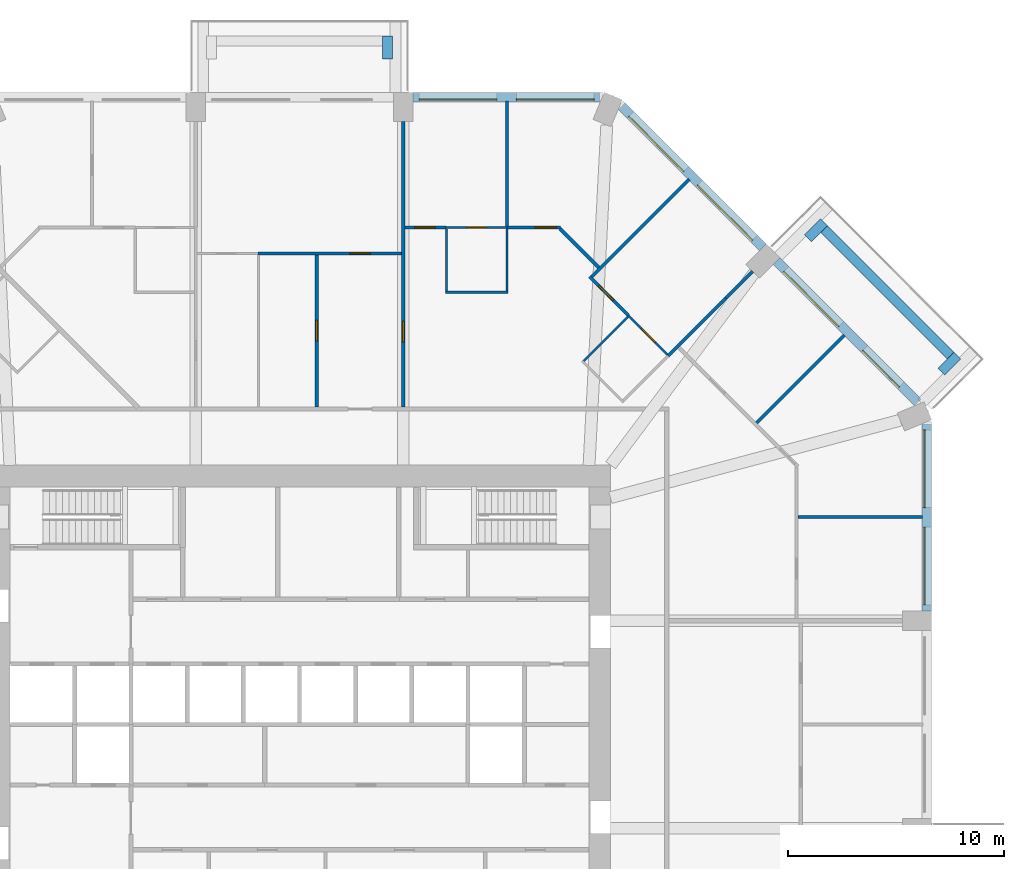
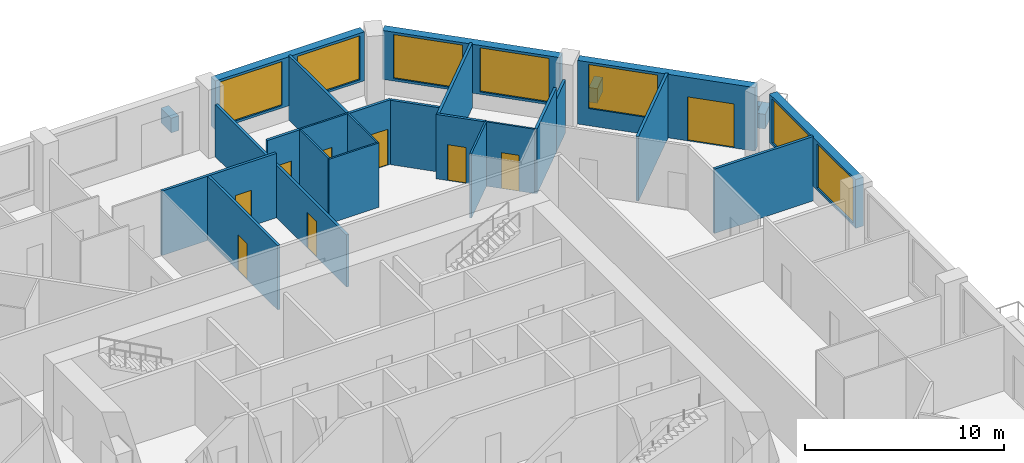
# One storey, part 10 of 13: 27 walls, 9 doors, 7 windows, 16 openings.
"""IFC4 building model written with IfcOpenShell, lengths in metres."""

from ifc_helpers import new_model, si_unit, direction, frame, frame_2d, origin, place, context, subcontext, project, spatial, rectangle, extrude, material, layer, layer_set, type_object, element, fill, save


model = new_model("IFC4")

# Units and contexts
model_context = context("Model", 3, precision=1e-05, world=origin(), true_north=direction((0.0, 1.0)))
body_context = subcontext(model_context, "Body", "Model", "MODEL_VIEW")
ifc_project = project(units=[si_unit("LENGTHUNIT", "METRE"), si_unit("AREAUNIT", "SQUARE_METRE"), si_unit("VOLUMEUNIT", "CUBIC_METRE"), si_unit("PLANEANGLEUNIT", "RADIAN"), si_unit("MASSUNIT", "GRAM", prefix="KILO")], contexts=[model_context])

# Site, building, storey
site_placement = place(None, origin())
site = spatial("IfcSite", under=ifc_project, at=site_placement, CompositionType="ELEMENT")
building_placement = place(site_placement, origin())
building = spatial("IfcBuilding", under=site, at=building_placement, Name="Msitu Wima Residences", CompositionType="ELEMENT")
storey_placement = place(building_placement, frame((0.0, 0.0, 84.300048828125)))
storey = spatial("IfcBuildingStorey", under=building, at=storey_placement, Name="L19", CompositionType="ELEMENT", Elevation=84.300048828125)

# Walls
ifc_material_1 = material(Name="Facing brick")
ifc_layer_1 = layer(ifc_material_1, 0.06494140625, Name="Facing brick")
ifc_material_2 = material(Name="Concrete C40/50", Category="concrete")
ifc_layer_2 = layer(ifc_material_2, 0.156005859375, Name="Concrete C40/50")
ifc_material_3 = material(Name="Waterproofing membrane")
ifc_layer_3 = layer(ifc_material_3, 0.00390625, Name="Waterproofing membrane")
ifc_material_4 = material(Name="Planting soil and planting")
ifc_layer_4 = layer(ifc_material_4, 0.22509765625, Name="Planting soil and planting")
ifc_layer_set_1 = layer_set([ifc_layer_1, ifc_layer_2, ifc_layer_3, ifc_layer_4], Name="Concrete C40/50")
wall_type_1 = type_object("IfcWallType", Name="Balcony planter PLANTER PL450", PredefinedType="USERDEFINED", material=ifc_layer_set_1)
wall_1_placement = place(storey_placement, frame((30.125732421875, 17.0693359375, 0.0), z_axis=(0.0, 0.0, 1.0), x_axis=(-0.707106781187, 0.707106781187, 0.0)))
element("IfcWall", 1, at=wall_1_placement, inside=storey, type_object=wall_type_1, Name="Balcony planter NE0 L19", ObjectType="PLANTER", PredefinedType="USERDEFINED", context=body_context, shape_type="SweptSolid", body=[
    extrude(rectangle(XDim=8.2822265625, YDim=0.449951171875, at=frame_2d((4.14111328125, 0.0))), origin(), (0.0, 0.0, 1.0), 0.89990234375),
])
for number, where, z_axis, x_axis, name in (
    (2, (29.70166015625, 16.326904296875, 0.0), (0.0, 0.0, 1.0), (0.707106781187, 0.707106781187, 0.0), "Balcony planter NE0 L19"),
    (3, (23.52685546875, 22.50146484375, 0.0), (0.0, 0.0, 1.0), (0.706990528533, 0.707223014731, 0.0), "Balcony planter NE0 L19"),
    (4, (4.074951171875, 30.800048828125, 0.0), (0.0, 0.0, 1.0), (0.0, 1.0, 0.0), "Balcony planter N1 L19"),
):
    element("IfcWall", number, at=place(storey_placement, frame(where, z_axis=z_axis, x_axis=x_axis)), inside=storey, type_object=wall_type_1, Name=name, ObjectType="PLANTER", PredefinedType="USERDEFINED", context=body_context, shape_type="SweptSolid", body=[
        extrude(rectangle(XDim=1.050048828125, YDim=0.449951171875, at=frame_2d((0.52490234375, 0.0))), origin(), (0.0, 0.0, 1.0), 0.89990234375),
    ])

# Wall, openings, windows
ifc_material_5 = material(Name="Brick (red buff mix)", Category="masonry")
ifc_layer_5 = layer(ifc_material_5, 0.449951171875)
ifc_layer_set_2 = layer_set([ifc_layer_5], Name="Brick (red buff mix)")
wall_type_2 = type_object("IfcWallType", Name="Brick infill wall BW450", PredefinedType="SOLIDWALL", material=ifc_layer_set_2)
wall_2_placement = place(storey_placement, frame((29.02490234375, 5.25, 0.89990234375), z_axis=(0.0, 0.0, 1.0), x_axis=(0.0, 1.0, 0.0)))
wall_2 = element("IfcWall", 5, at=wall_2_placement, inside=storey, type_object=wall_type_2, Name="Brick infill wall L19 E2", PredefinedType="SOLIDWALL", context=body_context, shape_type="SweptSolid", body=[
    extrude(rectangle(XDim=8.662841796875, YDim=0.449951171875, at=frame_2d((4.33154296875, 0.0))), origin(), (0.0, 0.0, 1.0), 3.0),
])
opening_1_placement = place(wall_2_placement, frame((0.281494140625, 0.0, 0.14990234375)))
opening_1 = element("IfcOpeningElement", 6, at=opening_1_placement, cuts=wall_2, Name="Opening W18-20.004", PredefinedType="OPENING", context=body_context, shape_type="SweptSolid", body=[
    extrude(rectangle(XDim=3.60009765625, YDim=2.699951171875, at=frame_2d((1.800048828125, 1.35009765625))), frame((0.0, 0.23486328125, 0.0), z_axis=(0.0, -1.0, 0.0), x_axis=(1.0, 0.0, 0.0)), (0.0, 0.0, 1.0), 0.469970703125),
])
opening_2_placement = place(wall_2_placement, frame((4.781494140625, 0.0, 0.14990234375)))
opening_2 = element("IfcOpeningElement", 7, at=opening_2_placement, cuts=wall_2, Name="Opening W18-20.005", PredefinedType="OPENING", context=body_context, shape_type="SweptSolid", body=[
    extrude(rectangle(XDim=3.60009765625, YDim=2.699951171875, at=frame_2d((1.800048828125, 1.35009765625))), frame((0.0, 0.23486328125, 0.0), z_axis=(0.0, -1.0, 0.0), x_axis=(1.0, 0.0, 0.0)), (0.0, 0.0, 1.0), 0.469970703125),
])
ifc_material_6 = material(Name="Anodised aluminium, bronze finish, clear low-emissivity double glazing", Category="aluminium")
window_type = type_object("IfcWindowType", Name="Window W3600x2700", PartitioningType="DOUBLE_PANEL_VERTICAL", PredefinedType="WINDOW", material=ifc_material_6)
window_1_placement = place(opening_1_placement, origin())
window_1 = element("IfcWindow", 8, at=window_1_placement, inside=storey, type_object=window_type, Name="Window L19 E2.1", OverallHeight=2.699951171875, OverallWidth=3.60009765625, PartitioningType="SINGLE_PANEL", PredefinedType="WINDOW", context=body_context, shape_type="SweptSolid", body=[
    extrude(rectangle(XDim=3.60009765625, YDim=2.699951171875, at=frame_2d((1.800048828125, 1.35009765625))), frame((0.0, 0.135009765625, 0.0), z_axis=(0.0, -1.0, 0.0), x_axis=(1.0, 0.0, 0.0)), (0.0, 0.0, 1.0), 0.06005859375),
])
fill(opening_1, window_1)
window_2_placement = place(opening_2_placement, origin())
window_2 = element("IfcWindow", 9, at=window_2_placement, inside=storey, type_object=window_type, Name="Window L19 E2.2", OverallHeight=2.699951171875, OverallWidth=3.60009765625, PartitioningType="SINGLE_PANEL", PredefinedType="WINDOW", context=body_context, shape_type="SweptSolid", body=[
    extrude(rectangle(XDim=3.60009765625, YDim=2.699951171875, at=frame_2d((1.800048828125, 1.35009765625))), frame((0.0, 0.135009765625, 0.0), z_axis=(0.0, -1.0, 0.0), x_axis=(1.0, 0.0, 0.0)), (0.0, 0.0, 1.0), 0.06005859375),
])
fill(opening_2, window_2)

# Wall, openings, door, window
wall_3_placement = place(storey_placement, frame((28.61474609375, 14.903564453125, 0.0), z_axis=(0.0, 0.0, 1.0), x_axis=(-0.707106781187, 0.707106781187, 0.0)))
wall_3 = element("IfcWall", 10, at=wall_3_placement, inside=storey, type_object=wall_type_2, Name="Brick infill wall L19 NE0", PredefinedType="SOLIDWALL", context=body_context, shape_type="SweptSolid", body=[
    extrude(rectangle(XDim=9.2451171875, YDim=0.449951171875, at=frame_2d((4.62255859375, 0.0))), origin(), (0.0, 0.0, 1.0), 3.89990234375),
])
opening_3_placement = place(wall_3_placement, frame((1.111328125, 0.0, 0.0)))
opening_3 = element("IfcOpeningElement", 11, at=opening_3_placement, cuts=wall_3, Name="Opening D18-20.003", PredefinedType="OPENING", context=body_context, shape_type="SweptSolid", body=[
    extrude(rectangle(XDim=2.39990234375, YDim=2.699951171875, at=frame_2d((1.199951171875, 1.35009765625))), frame((0.0, 0.23486328125, 0.0), z_axis=(0.0, -1.0, 0.0), x_axis=(1.0, 0.0, 0.0)), (0.0, 0.0, 1.0), 0.469970703125),
])
opening_4_placement = place(wall_3_placement, frame((5.072509765625, 0.0, 1.050048828125)))
opening_4 = element("IfcOpeningElement", 12, at=opening_4_placement, cuts=wall_3, Name="Opening W18-20.011", PredefinedType="OPENING", context=body_context, shape_type="SweptSolid", body=[
    extrude(rectangle(XDim=3.60009765625, YDim=2.699951171875, at=frame_2d((1.800048828125, 1.35009765625))), frame((0.0, 0.23486328125, 0.0), z_axis=(0.0, -1.0, 0.0), x_axis=(1.0, 0.0, 0.0)), (0.0, 0.0, 1.0), 0.469970703125),
])
door_type_1 = type_object("IfcDoorType", Name="Balcony door D2400x2700", OperationType="SLIDING_TO_LEFT", PredefinedType="DOOR", material=ifc_material_6)
door_1_placement = place(opening_3_placement, origin())
door_1 = element("IfcDoor", 13, at=door_1_placement, inside=storey, type_object=door_type_1, Name="Balcony door L19 NE0", OperationType="SINGLE_SWING_LEFT", OverallHeight=2.699951171875, OverallWidth=2.39990234375, PredefinedType="DOOR", context=body_context, shape_type="SweptSolid", body=[
    extrude(rectangle(XDim=2.39990234375, YDim=2.699951171875, at=frame_2d((1.199951171875, 1.35009765625))), frame((0.0, 0.1298828125, 0.0), z_axis=(0.0, -1.0, 0.0), x_axis=(1.0, 0.0, 0.0)), (0.0, 0.0, 1.0), 0.050048828125),
])
fill(opening_3, door_1)
window_3_placement = place(opening_4_placement, origin())
window_3 = element("IfcWindow", 14, at=window_3_placement, inside=storey, type_object=window_type, Name="Window L19 NE0.2", OverallHeight=2.699951171875, OverallWidth=3.60009765625, PartitioningType="SINGLE_PANEL", PredefinedType="WINDOW", context=body_context, shape_type="SweptSolid", body=[
    extrude(rectangle(XDim=3.60009765625, YDim=2.699951171875, at=frame_2d((1.800048828125, 1.35009765625))), frame((0.0, 0.135009765625, 0.0), z_axis=(0.0, -1.0, 0.0), x_axis=(1.0, 0.0, 0.0)), (0.0, 0.0, 1.0), 0.06005859375),
])
fill(opening_4, window_3)

# Wall, openings, windows
wall_4_placement = place(storey_placement, frame((21.44091796875, 22.077392578125, 0.89990234375), z_axis=(0.0, 0.0, 1.0), x_axis=(-0.707106781187, 0.707106781187, 0.0)))
wall_4 = element("IfcWall", 15, at=wall_4_placement, inside=storey, type_object=wall_type_2, Name="Brick infill wall L19 NE1", PredefinedType="SOLIDWALL", context=body_context, shape_type="SweptSolid", body=[
    extrude(rectangle(XDim=9.2451171875, YDim=0.449951171875, at=frame_2d((4.62255859375, 0.0))), origin(), (0.0, 0.0, 1.0), 3.0),
])
opening_5_placement = place(wall_4_placement, frame((0.572509765625, 0.0, 0.14990234375)))
opening_5 = element("IfcOpeningElement", 16, at=opening_5_placement, cuts=wall_4, Name="Opening W18-20.012", PredefinedType="OPENING", context=body_context, shape_type="SweptSolid", body=[
    extrude(rectangle(XDim=3.60009765625, YDim=2.699951171875, at=frame_2d((1.800048828125, 1.35009765625))), frame((0.0, 0.23486328125, 0.0), z_axis=(0.0, -1.0, 0.0), x_axis=(1.0, 0.0, 0.0)), (0.0, 0.0, 1.0), 0.469970703125),
])
opening_6_placement = place(wall_4_placement, frame((5.072509765625, 0.0, 0.14990234375)))
opening_6 = element("IfcOpeningElement", 17, at=opening_6_placement, cuts=wall_4, Name="Opening W18-20.013", PredefinedType="OPENING", context=body_context, shape_type="SweptSolid", body=[
    extrude(rectangle(XDim=3.60009765625, YDim=2.699951171875, at=frame_2d((1.800048828125, 1.35009765625))), frame((0.0, 0.23486328125, 0.0), z_axis=(0.0, -1.0, 0.0), x_axis=(1.0, 0.0, 0.0)), (0.0, 0.0, 1.0), 0.469970703125),
])
window_4_placement = place(opening_5_placement, origin())
window_4 = element("IfcWindow", 18, at=window_4_placement, inside=storey, type_object=window_type, Name="Window L19 NE1.1", OverallHeight=2.699951171875, OverallWidth=3.60009765625, PartitioningType="SINGLE_PANEL", PredefinedType="WINDOW", context=body_context, shape_type="SweptSolid", body=[
    extrude(rectangle(XDim=3.60009765625, YDim=2.699951171875, at=frame_2d((1.800048828125, 1.35009765625))), frame((0.0, 0.135009765625, 0.0), z_axis=(0.0, -1.0, 0.0), x_axis=(1.0, 0.0, 0.0)), (0.0, 0.0, 1.0), 0.06005859375),
])
fill(opening_5, window_4)
window_5_placement = place(opening_6_placement, origin())
window_5 = element("IfcWindow", 19, at=window_5_placement, inside=storey, type_object=window_type, Name="Window L19 NE1.2", OverallHeight=2.699951171875, OverallWidth=3.60009765625, PartitioningType="SINGLE_PANEL", PredefinedType="WINDOW", context=body_context, shape_type="SweptSolid", body=[
    extrude(rectangle(XDim=3.60009765625, YDim=2.699951171875, at=frame_2d((1.800048828125, 1.35009765625))), frame((0.0, 0.135009765625, 0.0), z_axis=(0.0, -1.0, 0.0), x_axis=(1.0, 0.0, 0.0)), (0.0, 0.0, 1.0), 0.06005859375),
])
fill(opening_6, window_5)

wall_5_placement = place(storey_placement, frame((13.912841796875, 29.02490234375, 0.89990234375), z_axis=(0.0, 0.0, 1.0), x_axis=(-1.0, 0.0, 0.0)))
wall_5 = element("IfcWall", 20, at=wall_5_placement, inside=storey, type_object=wall_type_2, Name="Brick infill wall L19 N0", PredefinedType="SOLIDWALL", context=body_context, shape_type="SweptSolid", body=[
    extrude(rectangle(XDim=8.662841796875, YDim=0.449951171875, at=frame_2d((4.33154296875, 0.0))), origin(), (0.0, 0.0, 1.0), 3.0),
])
opening_7_placement = place(wall_5_placement, frame((0.281494140625, 0.0, 0.14990234375)))
opening_7 = element("IfcOpeningElement", 21, at=opening_7_placement, cuts=wall_5, Name="Opening W18-20.006", PredefinedType="OPENING", context=body_context, shape_type="SweptSolid", body=[
    extrude(rectangle(XDim=3.60009765625, YDim=2.699951171875, at=frame_2d((1.800048828125, 1.35009765625))), frame((0.0, 0.23486328125, 0.0), z_axis=(0.0, -1.0, 0.0), x_axis=(1.0, 0.0, 0.0)), (0.0, 0.0, 1.0), 0.469970703125),
])
opening_8_placement = place(wall_5_placement, frame((4.781494140625, 0.0, 0.14990234375)))
opening_8 = element("IfcOpeningElement", 22, at=opening_8_placement, cuts=wall_5, Name="Opening W18-20.007", PredefinedType="OPENING", context=body_context, shape_type="SweptSolid", body=[
    extrude(rectangle(XDim=3.60009765625, YDim=2.699951171875, at=frame_2d((1.800048828125, 1.35009765625))), frame((0.0, 0.23486328125, 0.0), z_axis=(0.0, -1.0, 0.0), x_axis=(1.0, 0.0, 0.0)), (0.0, 0.0, 1.0), 0.469970703125),
])
window_6_placement = place(opening_7_placement, origin())
window_6 = element("IfcWindow", 23, at=window_6_placement, inside=storey, type_object=window_type, Name="Window L19 N0.1", OverallHeight=2.699951171875, OverallWidth=3.60009765625, PartitioningType="SINGLE_PANEL", PredefinedType="WINDOW", context=body_context, shape_type="SweptSolid", body=[
    extrude(rectangle(XDim=3.60009765625, YDim=2.699951171875, at=frame_2d((1.800048828125, 1.35009765625))), frame((0.0, 0.135009765625, 0.0), z_axis=(0.0, -1.0, 0.0), x_axis=(1.0, 0.0, 0.0)), (0.0, 0.0, 1.0), 0.06005859375),
])
fill(opening_7, window_6)
window_7_placement = place(opening_8_placement, origin())
window_7 = element("IfcWindow", 24, at=window_7_placement, inside=storey, type_object=window_type, Name="Window L19 N0.2", OverallHeight=2.699951171875, OverallWidth=3.60009765625, PartitioningType="SINGLE_PANEL", PredefinedType="WINDOW", context=body_context, shape_type="SweptSolid", body=[
    extrude(rectangle(XDim=3.60009765625, YDim=2.699951171875, at=frame_2d((1.800048828125, 1.35009765625))), frame((0.0, 0.135009765625, 0.0), z_axis=(0.0, -1.0, 0.0), x_axis=(1.0, 0.0, 0.0)), (0.0, 0.0, 1.0), 0.06005859375),
])
fill(opening_8, window_7)

# Wall, opening, door
ifc_material_7 = material(Name="Plaster")
ifc_layer_6 = layer(ifc_material_7, 0.011962890625, Name="Plaster")
ifc_material_8 = material(Name="Concrete blockwork", Category="masonry")
ifc_layer_7 = layer(ifc_material_8, 0.1259765625, Name="Concrete blockwork")
ifc_layer_8 = layer(ifc_material_7, 0.011962890625, Name="Plaster")
ifc_layer_set_3 = layer_set([ifc_layer_6, ifc_layer_7, ifc_layer_8], Name="Concrete blockwork")
wall_type_3 = type_object("IfcWallType", Name="Partition PW150", PredefinedType="PARTITIONING", material=ifc_layer_set_3)
wall_6_placement = place(storey_placement, frame((-1.919921875, 21.800048828125, 0.0), z_axis=(0.0, 0.0, 1.0), x_axis=(1.0, 0.0, 0.0)))
wall_6 = element("IfcWall", 25, at=wall_6_placement, inside=storey, type_object=wall_type_3, Name="Partition", PredefinedType="PARTITIONING", context=body_context, shape_type="SweptSolid", body=[
    extrude(rectangle(XDim=6.64501953125, YDim=0.14990234375, at=frame_2d((3.322509765625, 0.0))), origin(), (0.0, 0.0, 1.0), 3.949951171875),
])
opening_9_placement = place(wall_6_placement, frame((4.25, 0.0, 0.0)))
opening_9 = element("IfcOpeningElement", 26, at=opening_9_placement, cuts=wall_6, Name="Opening D18-20.048", PredefinedType="OPENING", context=body_context, shape_type="SweptSolid", body=[
    extrude(rectangle(XDim=0.949951171875, YDim=2.199951171875, at=frame_2d((0.47509765625, 1.10009765625))), frame((0.0, 0.0849609375, 0.0), z_axis=(0.0, -1.0, 0.0), x_axis=(1.0, 0.0, 0.0)), (0.0, 0.0, 1.0), 0.169921875),
])
ifc_material_9 = material(Name="Timber flush door", Category="wood")
door_type_2 = type_object("IfcDoorType", Name="Room door D12 950x2200", OperationType="SINGLE_SWING_LEFT", PredefinedType="DOOR", material=ifc_material_9)
door_2_placement = place(opening_9_placement, origin())
door_2 = element("IfcDoor", 27, at=door_2_placement, inside=storey, type_object=door_type_2, Name="Room door", OperationType="SINGLE_SWING_RIGHT", OverallHeight=2.199951171875, OverallWidth=0.949951171875, PredefinedType="DOOR", context=body_context, shape_type="SweptSolid", body=[
    extrude(rectangle(XDim=0.949951171875, YDim=2.199951171875, at=frame_2d((0.47509765625, 1.10009765625))), frame((0.0, 0.02490234375, 0.0), z_axis=(0.0, -1.0, 0.0), x_axis=(1.0, 0.0, 0.0)), (0.0, 0.0, 1.0), 0.050048828125),
])
fill(opening_9, door_2)

wall_7_placement = place(storey_placement, frame((0.800048828125, 14.699951171875, 0.0), z_axis=(0.0, 0.0, 1.0), x_axis=(0.0, 1.0, 0.0)))
wall_7 = element("IfcWall", 28, at=wall_7_placement, inside=storey, type_object=wall_type_3, Name="Partition", PredefinedType="PARTITIONING", context=body_context, shape_type="SweptSolid", body=[
    extrude(rectangle(XDim=7.025146484375, YDim=0.14990234375, at=frame_2d((3.5126953125, 0.0))), origin(), (0.0, 0.0, 1.0), 3.949951171875),
])
opening_10_placement = place(wall_7_placement, frame((3.050048828125, 0.0, 0.0)))
opening_10 = element("IfcOpeningElement", 29, at=opening_10_placement, cuts=wall_7, Name="Opening D18-20.085", PredefinedType="OPENING", context=body_context, shape_type="SweptSolid", body=[
    extrude(rectangle(XDim=0.949951171875, YDim=2.199951171875, at=frame_2d((0.47509765625, 1.10009765625))), frame((0.0, 0.0849609375, 0.0), z_axis=(0.0, -1.0, 0.0), x_axis=(1.0, 0.0, 0.0)), (0.0, 0.0, 1.0), 0.169921875),
])
door_3_placement = place(opening_10_placement, origin())
door_3 = element("IfcDoor", 30, at=door_3_placement, inside=storey, type_object=door_type_2, Name="Room door", OperationType="SINGLE_SWING_RIGHT", OverallHeight=2.199951171875, OverallWidth=0.949951171875, PredefinedType="DOOR", context=body_context, shape_type="SweptSolid", body=[
    extrude(rectangle(XDim=0.949951171875, YDim=2.199951171875, at=frame_2d((0.47509765625, 1.10009765625))), frame((0.0, 0.02490234375, 0.0), z_axis=(0.0, -1.0, 0.0), x_axis=(1.0, 0.0, 0.0)), (0.0, 0.0, 1.0), 0.050048828125),
])
fill(opening_10, door_3)

wall_8_placement = place(storey_placement, frame((4.800048828125, 14.699951171875, 0.0), z_axis=(0.0, 0.0, 1.0), x_axis=(0.0, 1.0, 0.0)))
wall_8 = element("IfcWall", 31, at=wall_8_placement, inside=storey, type_object=wall_type_3, Name="Partition", PredefinedType="PARTITIONING", context=body_context, shape_type="SweptSolid", body=[
    extrude(rectangle(XDim=13.199951171875, YDim=0.14990234375, at=frame_2d((6.60009765625, 0.0))), origin(), (0.0, 0.0, 1.0), 3.199951171875),
])
opening_11_placement = place(wall_8_placement, frame((3.0, 0.0, 0.0)))
opening_11 = element("IfcOpeningElement", 32, at=opening_11_placement, cuts=wall_8, Name="Opening D18-20.037", PredefinedType="OPENING", context=body_context, shape_type="SweptSolid", body=[
    extrude(rectangle(XDim=0.949951171875, YDim=2.199951171875, at=frame_2d((0.47509765625, 1.10009765625))), frame((0.0, 0.0849609375, 0.0), z_axis=(0.0, -1.0, 0.0), x_axis=(1.0, 0.0, 0.0)), (0.0, 0.0, 1.0), 0.169921875),
])
door_4_placement = place(opening_11_placement, origin())
door_4 = element("IfcDoor", 33, at=door_4_placement, inside=storey, type_object=door_type_2, Name="Room door", OperationType="SINGLE_SWING_RIGHT", OverallHeight=2.199951171875, OverallWidth=0.949951171875, PredefinedType="DOOR", context=body_context, shape_type="SweptSolid", body=[
    extrude(rectangle(XDim=0.949951171875, YDim=2.199951171875, at=frame_2d((0.47509765625, 1.10009765625))), frame((0.0, 0.02490234375, 0.0), z_axis=(0.0, -1.0, 0.0), x_axis=(1.0, 0.0, 0.0)), (0.0, 0.0, 1.0), 0.050048828125),
])
fill(opening_11, door_4)

wall_9_placement = place(storey_placement, frame((4.875, 23.0, 0.0), z_axis=(0.0, 0.0, 1.0), x_axis=(1.0, 0.0, 0.0)))
wall_9 = element("IfcWall", 34, at=wall_9_placement, inside=storey, type_object=wall_type_3, Name="Partition", PredefinedType="PARTITIONING", context=body_context, shape_type="SweptSolid", body=[
    extrude(rectangle(XDim=1.905029296875, YDim=0.14990234375, at=frame_2d((0.95263671875, 0.0))), origin(), (0.0, 0.0, 1.0), 3.949951171875),
])
opening_12_placement = place(wall_9_placement, frame((0.449951171875, 0.0, 0.0)))
opening_12 = element("IfcOpeningElement", 35, at=opening_12_placement, cuts=wall_9, Name="Opening D18-20.081", PredefinedType="OPENING", context=body_context, shape_type="SweptSolid", body=[
    extrude(rectangle(XDim=0.949951171875, YDim=2.199951171875, at=frame_2d((0.47509765625, 1.10009765625))), frame((0.0, 0.0849609375, 0.0), z_axis=(0.0, -1.0, 0.0), x_axis=(1.0, 0.0, 0.0)), (0.0, 0.0, 1.0), 0.169921875),
])
door_5_placement = place(opening_12_placement, origin())
door_5 = element("IfcDoor", 36, at=door_5_placement, inside=storey, type_object=door_type_2, Name="Room door", OperationType="SINGLE_SWING_LEFT", OverallHeight=2.199951171875, OverallWidth=0.949951171875, PredefinedType="DOOR", context=body_context, shape_type="SweptSolid", body=[
    extrude(rectangle(XDim=0.949951171875, YDim=2.199951171875, at=frame_2d((0.47509765625, 1.10009765625))), frame((0.0, 0.02490234375, 0.0), z_axis=(0.0, -1.0, 0.0), x_axis=(1.0, 0.0, 0.0)), (0.0, 0.0, 1.0), 0.050048828125),
])
fill(opening_12, door_5)

# Wall
wall_10_placement = place(storey_placement, frame((9.60009765625, 22.97998046875, 0.0), z_axis=(0.0, 0.0, 1.0), x_axis=(0.0, 1.0, 0.0)))
element("IfcWall", 37, at=wall_10_placement, inside=storey, type_object=wall_type_3, Name="Partition", PredefinedType="PARTITIONING", context=body_context, shape_type="SweptSolid", body=[
    extrude(rectangle(XDim=5.875, YDim=0.14990234375, at=frame_2d((2.9375, 0.0))), origin(), (0.0, 0.0, 1.0), 3.949951171875),
])

# Wall, opening, door
wall_11_placement = place(storey_placement, frame((9.6201171875, 23.0, 0.0), z_axis=(0.0, 0.0, 1.0), x_axis=(1.0, 0.0, 0.0)))
wall_11 = element("IfcWall", 38, at=wall_11_placement, inside=storey, type_object=wall_type_3, Name="Partition", PredefinedType="PARTITIONING", context=body_context, shape_type="SweptSolid", body=[
    extrude(rectangle(XDim=2.452392578125, YDim=0.14990234375, at=frame_2d((1.22607421875, 0.0))), origin(), (0.0, 0.0, 1.0), 3.949951171875),
])
opening_13_placement = place(wall_11_placement, frame((1.300048828125, 0.0, 0.0)))
opening_13 = element("IfcOpeningElement", 39, at=opening_13_placement, cuts=wall_11, Name="Opening D18-20.039", PredefinedType="OPENING", context=body_context, shape_type="SweptSolid", body=[
    extrude(rectangle(XDim=0.949951171875, YDim=2.199951171875, at=frame_2d((0.47509765625, 1.10009765625))), frame((0.0, 0.0849609375, 0.0), z_axis=(0.0, -1.0, 0.0), x_axis=(1.0, 0.0, 0.0)), (0.0, 0.0, 1.0), 0.169921875),
])
door_6_placement = place(opening_13_placement, origin())
door_6 = element("IfcDoor", 40, at=door_6_placement, inside=storey, type_object=door_type_2, Name="Room door", OperationType="SINGLE_SWING_LEFT", OverallHeight=2.199951171875, OverallWidth=0.949951171875, PredefinedType="DOOR", context=body_context, shape_type="SweptSolid", body=[
    extrude(rectangle(XDim=0.949951171875, YDim=2.199951171875, at=frame_2d((0.47509765625, 1.10009765625))), frame((0.0, 0.02490234375, 0.0), z_axis=(0.0, -1.0, 0.0), x_axis=(1.0, 0.0, 0.0)), (0.0, 0.0, 1.0), 0.050048828125),
])
fill(opening_13, door_6)

# Wall
wall_12_placement = place(storey_placement, frame((12.050537109375, 22.947021484375, 0.0), z_axis=(0.0, 0.0, 1.0), x_axis=(0.707106781187, -0.707106781187, 0.0)))
element("IfcWall", 41, at=wall_12_placement, inside=storey, type_object=wall_type_3, Name="Partition", PredefinedType="PARTITIONING", context=body_context, shape_type="SweptSolid", body=[
    extrude(rectangle(XDim=2.538818359375, YDim=0.14990234375, at=frame_2d((1.26953125, 0.0))), origin(), (0.0, 0.0, 1.0), 3.949951171875),
])

# Wall, opening, door
wall_13_placement = place(storey_placement, frame((13.42138671875, 20.7275390625, 0.0), z_axis=(0.0, 0.0, 1.0), x_axis=(0.707154722254, -0.707058836868, 0.0)))
wall_13 = element("IfcWall", 42, at=wall_13_placement, inside=storey, type_object=wall_type_3, Name="Partition", PredefinedType="PARTITIONING", context=body_context, shape_type="SweptSolid", body=[
    extrude(rectangle(XDim=2.546142578125, YDim=0.14990234375, at=frame_2d((1.27294921875, 0.0))), origin(), (0.0, 0.0, 1.0), 3.949951171875),
])
opening_14_placement = place(wall_13_placement, frame((0.60009765625, 0.0, 0.0)))
opening_14 = element("IfcOpeningElement", 43, at=opening_14_placement, cuts=wall_13, Name="Opening D18-20.086", PredefinedType="OPENING", context=body_context, shape_type="SweptSolid", body=[
    extrude(rectangle(XDim=0.949951171875, YDim=2.199951171875, at=frame_2d((0.47509765625, 1.10009765625))), frame((0.0, 0.0849609375, 0.0), z_axis=(0.0, -1.0, 0.0), x_axis=(1.0, 0.0, 0.0)), (0.0, 0.0, 1.0), 0.169921875),
])
door_7_placement = place(opening_14_placement, origin())
door_7 = element("IfcDoor", 44, at=door_7_placement, inside=storey, type_object=door_type_2, Name="Room door", OperationType="SINGLE_SWING_LEFT", OverallHeight=2.199951171875, OverallWidth=0.949951171875, PredefinedType="DOOR", context=body_context, shape_type="SweptSolid", body=[
    extrude(rectangle(XDim=0.949951171875, YDim=2.199951171875, at=frame_2d((0.47509765625, 1.10009765625))), frame((0.0, 0.02490234375, 0.0), z_axis=(0.0, -1.0, 0.0), x_axis=(1.0, 0.0, 0.0)), (0.0, 0.0, 1.0), 0.050048828125),
])
fill(opening_14, door_7)

# Walls
wall_14_placement = place(storey_placement, frame((13.527587890625, 20.7275390625, 0.0), z_axis=(0.0, 0.0, 1.0), x_axis=(0.707106781187, 0.707106781187, 0.0)))
element("IfcWall", 45, at=wall_14_placement, inside=storey, type_object=wall_type_3, Name="Partition", PredefinedType="PARTITIONING", context=body_context, shape_type="SweptSolid", body=[
    extrude(rectangle(XDim=6.3798828125, YDim=0.14990234375, at=frame_2d((3.18994140625, 0.0))), origin(), (0.0, 0.0, 1.0), 3.949951171875),
])
wall_15_placement = place(storey_placement, frame((17.060302734375, 17.060302734375, 0.0), z_axis=(0.0, 0.0, 1.0), x_axis=(0.707106781187, 0.707106781187, 0.0)))
element("IfcWall", 46, at=wall_15_placement, inside=storey, type_object=wall_type_3, Name="Partition", PredefinedType="PARTITIONING", context=body_context, shape_type="SweptSolid", body=[
    extrude(rectangle(XDim=3.771728515625, YDim=0.14990234375, at=frame_2d((1.8857421875, 0.0))), origin(), (0.0, 0.0, 1.0), 3.949951171875),
])
wall_16_placement = place(storey_placement, frame((19.727294921875, 19.727294921875, 0.0), z_axis=(0.0, 0.0, 1.0), x_axis=(0.707106781187, 0.707106781187, 0.0)))
element("IfcWall", 47, at=wall_16_placement, inside=storey, type_object=wall_type_3, Name="Partition", PredefinedType="PARTITIONING", context=body_context, shape_type="SweptSolid", body=[
    extrude(rectangle(XDim=1.74853515625, YDim=0.14990234375, at=frame_2d((0.874267578125, 0.0))), origin(), (0.0, 0.0, 1.0), 3.25),
])
for number, where, z_axis, x_axis, name in (
    (48, (21.15185546875, 13.951904296875, 0.0), (0.0, 0.0, 1.0), (0.707128010843, 0.707085550893, 0.0), "Partition"),
    (49, (23.074951171875, 9.60009765625, 0.0), (0.0, 0.0, 1.0), (1.0, 0.0, 0.0), "Partition"),
):
    element("IfcWall", number, at=place(storey_placement, frame(where, z_axis=z_axis, x_axis=x_axis)), inside=storey, type_object=wall_type_3, Name=name, PredefinedType="PARTITIONING", context=body_context, shape_type="SweptSolid", body=[
        extrude(rectangle(XDim=5.75, YDim=0.14990234375, at=frame_2d((2.875, 0.0))), origin(), (0.0, 0.0, 1.0), 3.949951171875),
    ])

# Wall, opening, door
ifc_material_10 = material(Name="Ceramic tiles")
ifc_layer_9 = layer(ifc_material_10, 0.008056640625, Name="Ceramic tiles")
ifc_material_11 = material(Name="Moisture-resistant board")
ifc_layer_10 = layer(ifc_material_11, 0.012451171875, Name="Moisture-resistant board")
ifc_material_12 = material(Name="Light-gauge stud framing with mineral wool")
ifc_layer_11 = layer(ifc_material_12, 0.06689453125, Name="Light-gauge stud framing with mineral wool")
ifc_layer_12 = layer(ifc_material_11, 0.012451171875, Name="Moisture-resistant board")
ifc_layer_set_4 = layer_set([ifc_layer_9, ifc_layer_10, ifc_layer_11, ifc_layer_12], Name="Light-gauge stud framing with mineral wool")
wall_type_4 = type_object("IfcWallType", Name="Wet wall PW100", PredefinedType="PARTITIONING", material=ifc_layer_set_4)
wall_17_placement = place(storey_placement, frame((6.780029296875, 23.0, 0.0), z_axis=(0.0, 0.0, 1.0), x_axis=(1.0, 0.0, 0.0)))
wall_17 = element("IfcWall", 50, at=wall_17_placement, inside=storey, type_object=wall_type_4, Name="Wet wall", PredefinedType="PARTITIONING", context=body_context, shape_type="SweptSolid", body=[
    extrude(rectangle(XDim=2.840087890625, YDim=0.10009765625, at=frame_2d((1.419921875, 0.0))), origin(), (0.0, 0.0, 1.0), 3.949951171875),
])
opening_15_placement = place(wall_17_placement, frame((0.949951171875, 0.0, 0.0)))
opening_15 = element("IfcOpeningElement", 51, at=opening_15_placement, cuts=wall_17, Name="Opening D18-20.084", PredefinedType="OPENING", context=body_context, shape_type="SweptSolid", body=[
    extrude(rectangle(XDim=0.89990234375, YDim=2.199951171875, at=frame_2d((0.449951171875, 1.10009765625))), frame((0.0, 0.06005859375, 0.0), z_axis=(0.0, -1.0, 0.0), x_axis=(1.0, 0.0, 0.0)), (0.0, 0.0, 1.0), 0.1201171875),
])
ifc_material_13 = material(Name="Timber flush door, moisture resistant", Category="wood")
door_type_3 = type_object("IfcDoorType", Name="Bathroom door D03 900x2200", OperationType="SINGLE_SWING_LEFT", PredefinedType="DOOR", material=ifc_material_13)
door_8_placement = place(opening_15_placement, origin())
door_8 = element("IfcDoor", 52, at=door_8_placement, inside=storey, type_object=door_type_3, Name="Bathroom door", OperationType="SINGLE_SWING_RIGHT", OverallHeight=2.199951171875, OverallWidth=0.89990234375, PredefinedType="DOOR", context=body_context, shape_type="SweptSolid", body=[
    extrude(rectangle(XDim=0.89990234375, YDim=2.199951171875, at=frame_2d((0.449951171875, 1.10009765625))), frame((0.0, 0.02490234375, 0.0), z_axis=(0.0, -1.0, 0.0), x_axis=(1.0, 0.0, 0.0)), (0.0, 0.0, 1.0), 0.050048828125),
])
fill(opening_15, door_8)

# Walls
wall_18_placement = place(storey_placement, frame((6.800048828125, 20.050048828125, 0.0), z_axis=(0.0, 0.0, 1.0), x_axis=(0.0, 1.0, 0.0)))
element("IfcWall", 53, at=wall_18_placement, inside=storey, type_object=wall_type_4, Name="Wet wall", PredefinedType="PARTITIONING", context=body_context, shape_type="SweptSolid", body=[
    extrude(rectangle(XDim=2.875, YDim=0.10009765625, at=frame_2d((1.4375, 0.0))), origin(), (0.0, 0.0, 1.0), 3.949951171875),
])
wall_19_placement = place(storey_placement, frame((6.75, 20.0, 0.0), z_axis=(0.0, 0.0, 1.0), x_axis=(1.0, 0.0, 0.0)))
element("IfcWall", 54, at=wall_19_placement, inside=storey, type_object=wall_type_4, Name="Wet wall", PredefinedType="PARTITIONING", context=body_context, shape_type="SweptSolid", body=[
    extrude(rectangle(XDim=2.89990234375, YDim=0.10009765625, at=frame_2d((1.449951171875, 0.0))), origin(), (0.0, 0.0, 1.0), 3.949951171875),
])
wall_20_placement = place(storey_placement, frame((9.60009765625, 20.050048828125, 0.0), z_axis=(0.0, 0.0, 1.0), x_axis=(0.0, 1.0, 0.0)))
element("IfcWall", 55, at=wall_20_placement, inside=storey, type_object=wall_type_4, Name="Wet wall", PredefinedType="PARTITIONING", context=body_context, shape_type="SweptSolid", body=[
    extrude(rectangle(XDim=2.929931640625, YDim=0.10009765625, at=frame_2d((1.46484375, 0.0))), origin(), (0.0, 0.0, 1.0), 3.949951171875),
])
wall_21_placement = place(storey_placement, frame((13.150146484375, 16.8271484375, 0.0), z_axis=(0.0, 0.0, 1.0), x_axis=(0.707106781187, 0.707106781187, 0.0)))
element("IfcWall", 56, at=wall_21_placement, inside=storey, type_object=wall_type_4, Name="Wet wall", PredefinedType="PARTITIONING", context=body_context, shape_type="SweptSolid", body=[
    extrude(rectangle(XDim=2.89990234375, YDim=0.10009765625, at=frame_2d((1.449951171875, 0.0))), origin(), (0.0, 0.0, 1.0), 3.949951171875),
])

# Wall, opening, door
wall_22_placement = place(storey_placement, frame((15.221923828125, 18.92724609375, 0.0), z_axis=(0.0, 0.0, 1.0), x_axis=(0.707059281319, -0.707154277864, 0.0)))
wall_22 = element("IfcWall", 57, at=wall_22_placement, inside=storey, type_object=wall_type_4, Name="Wet wall", PredefinedType="PARTITIONING", context=body_context, shape_type="SweptSolid", body=[
    extrude(rectangle(XDim=2.570068359375, YDim=0.10009765625, at=frame_2d((1.28515625, 0.0))), origin(), (0.0, 0.0, 1.0), 3.949951171875),
])
opening_16_placement = place(wall_22_placement, frame((0.85009765625, 0.0, 0.0)))
opening_16 = element("IfcOpeningElement", 58, at=opening_16_placement, cuts=wall_22, Name="Opening D18-20.087", PredefinedType="OPENING", context=body_context, shape_type="SweptSolid", body=[
    extrude(rectangle(XDim=0.89990234375, YDim=2.199951171875, at=frame_2d((0.449951171875, 1.10009765625))), frame((0.0, 0.06005859375, 0.0), z_axis=(0.0, -1.0, 0.0), x_axis=(1.0, 0.0, 0.0)), (0.0, 0.0, 1.0), 0.1201171875),
])
door_9_placement = place(opening_16_placement, origin())
door_9 = element("IfcDoor", 59, at=door_9_placement, inside=storey, type_object=door_type_3, Name="Bathroom door", OperationType="SINGLE_SWING_RIGHT", OverallHeight=2.199951171875, OverallWidth=0.89990234375, PredefinedType="DOOR", context=body_context, shape_type="SweptSolid", body=[
    extrude(rectangle(XDim=0.89990234375, YDim=2.199951171875, at=frame_2d((0.449951171875, 1.10009765625))), frame((0.0, 0.02490234375, 0.0), z_axis=(0.0, -1.0, 0.0), x_axis=(1.0, 0.0, 0.0)), (0.0, 0.0, 1.0), 0.050048828125),
])
fill(opening_16, door_9)

save(model, "model.ifc")
